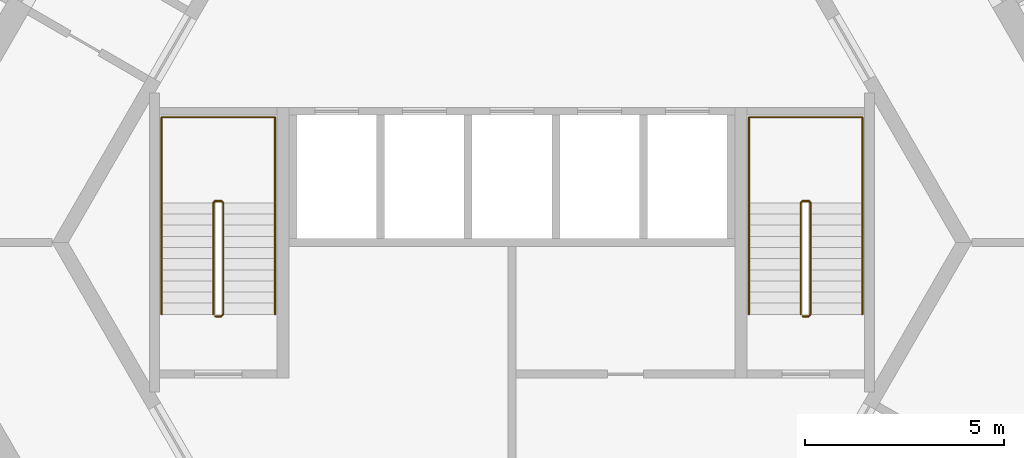
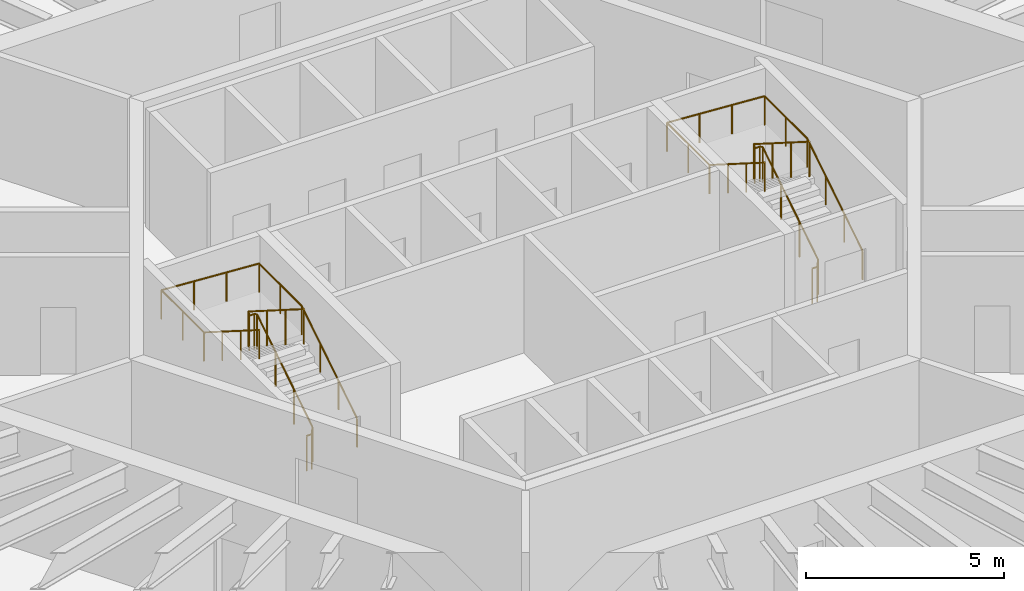
# One storey, part 12 of 12: 4 railings.
"""IFC4 building model written with IfcOpenShell, lengths in metres."""

from ifc_helpers import new_model, si_unit, direction, frame, origin, origin_2d, place, context, subcontext, project, spatial, circle, extrude, material, type_object, element, save


model = new_model("IFC4")

# Units and contexts
model_context = context("Model", 3, precision=1e-05, world=origin(), true_north=direction((0.0, 1.0)))
body_context = subcontext(model_context, "Body", "Model", "MODEL_VIEW")
ifc_project = project(units=[si_unit("LENGTHUNIT", "METRE"), si_unit("AREAUNIT", "SQUARE_METRE"), si_unit("VOLUMEUNIT", "CUBIC_METRE"), si_unit("PLANEANGLEUNIT", "RADIAN"), si_unit("MASSUNIT", "GRAM", prefix="KILO")], contexts=[model_context])

# Site, building, storey
site_placement = place(None, origin())
site = spatial("IfcSite", under=ifc_project, at=site_placement, CompositionType="ELEMENT")
building_placement = place(site_placement, origin())
building = spatial("IfcBuilding", under=site, at=building_placement, Name="Tarnside Tower", CompositionType="ELEMENT")
storey_placement = place(building_placement, frame((0.0, 0.0, 76.5)))
storey = spatial("IfcBuildingStorey", under=building, at=storey_placement, Name="L16", CompositionType="ELEMENT", Elevation=76.5)

# Railings
ifc_material = material(Name="Stainless steel", Category="steel")
railing_type_1 = type_object("IfcRailingType", Name="Stair guard 1100", PredefinedType="GUARDRAIL", material=ifc_material)
railing_1_placement = place(storey_placement, frame((7.300048828125, -1.85009765625, 0.0)))
element("IfcRailing", 1, at=railing_1_placement, inside=storey, type_object=railing_type_1, Name="L16 ST1 stair guard 1", PredefinedType="GUARDRAIL", context=body_context, shape_type="SweptSolid", body=[
    extrude(circle(Radius=0.02392578125, at=origin_2d()), frame((0.0, 0.0, 1.076171875), z_axis=(1.0, 0.0, 0.0), x_axis=(0.0, 1.0, 0.0)), (0.0, 0.0, 1.0), 0.14990234375),
    extrude(circle(Radius=0.02392578125, at=origin_2d()), frame((0.14990234375, 0.0, 1.076171875), z_axis=(0.262233686654, 0.262233686654, 0.928691007369), x_axis=(-0.707106781187, 0.707106781187, 0.0)), (0.0, 0.0, 1.0), 0.19091796875),
    extrude(circle(Radius=0.02392578125, at=origin_2d()), frame((0.199951171875, 0.050048828125, 1.25341796875), z_axis=(0.0, 0.844908973607, 0.534910110503), x_axis=(-1.0, 0.0, 0.0)), (0.0, 0.0, 1.0), 3.31396484375),
    extrude(circle(Radius=0.02392578125, at=origin_2d()), frame((0.199951171875, 2.85009765625, 3.02587890625), z_axis=(-0.707106781187, 0.707106781187, 0.0), x_axis=(-0.707106781187, -0.707106781187, 0.0)), (0.0, 0.0, 1.0), 0.07080078125),
    extrude(circle(Radius=0.02392578125, at=origin_2d()), frame((0.14990234375, 2.900146484375, 3.02587890625), z_axis=(-1.0, 0.0, 0.0), x_axis=(0.0, -1.0, 0.0)), (0.0, 0.0, 1.0), 0.14990234375),
    extrude(circle(Radius=0.02392578125, at=origin_2d()), frame((0.0, 2.900146484375, 3.02587890625), z_axis=(-0.262233686654, -0.262233686654, 0.928691007369), x_axis=(0.707106781187, -0.707106781187, 0.0)), (0.0, 0.0, 1.0), 0.19091796875),
    extrude(circle(Radius=0.02392578125, at=origin_2d()), frame((-0.050048828125, 2.85009765625, 3.203125), z_axis=(0.0, -0.844908973607, 0.534910110503), x_axis=(1.0, 0.0, 0.0)), (0.0, 0.0, 1.0), 3.31396484375),
    extrude(circle(Radius=0.02099609375, at=origin_2d()), origin(), (0.0, 0.0, 1.0), 1.052001953125),
    extrude(circle(Radius=0.02099609375, at=origin_2d()), frame((0.14990234375, 0.0, 0.0)), (0.0, 0.0, 1.0), 1.052001953125),
    extrude(circle(Radius=0.02099609375, at=origin_2d()), frame((0.199951171875, 0.050048828125, 0.17724609375)), (0.0, 0.0, 1.0), 1.052001953125),
    extrude(circle(Radius=0.02099609375, at=origin_2d()), frame((0.199951171875, 0.9833984375, 0.76806640625)), (0.0, 0.0, 1.0), 1.052001953125),
    extrude(circle(Radius=0.02099609375, at=origin_2d()), frame((0.199951171875, 1.916748046875, 1.359130859375)), (0.0, 0.0, 1.0), 1.052001953125),
    extrude(circle(Radius=0.02099609375, at=origin_2d()), frame((0.199951171875, 2.85009765625, 1.949951171875)), (0.0, 0.0, 1.0), 1.052001953125),
    extrude(circle(Radius=0.02099609375, at=origin_2d()), frame((0.14990234375, 2.900146484375, 1.949951171875)), (0.0, 0.0, 1.0), 1.052001953125),
    extrude(circle(Radius=0.02099609375, at=origin_2d()), frame((0.0, 2.900146484375, 1.949951171875)), (0.0, 0.0, 1.0), 1.052001953125),
    extrude(circle(Radius=0.02099609375, at=origin_2d()), frame((-0.050048828125, 2.85009765625, 2.127197265625)), (0.0, 0.0, 1.0), 1.052001953125),
    extrude(circle(Radius=0.02099609375, at=origin_2d()), frame((-0.050048828125, 1.916748046875, 2.718017578125)), (0.0, 0.0, 1.0), 1.052001953125),
    extrude(circle(Radius=0.02099609375, at=origin_2d()), frame((-0.050048828125, 0.9833984375, 3.30908203125)), (0.0, 0.0, 1.0), 1.052001953125),
    extrude(circle(Radius=0.02099609375, at=origin_2d()), frame((-0.050048828125, 0.050048828125, 3.89990234375)), (0.0, 0.0, 1.0), 1.052001953125),
])
railing_2_placement = place(storey_placement, frame((-7.449951171875, -1.85009765625, 0.0)))
element("IfcRailing", 2, at=railing_2_placement, inside=storey, type_object=railing_type_1, Name="L16 ST2 stair guard 1", PredefinedType="GUARDRAIL", context=body_context, shape_type="SweptSolid", body=[
    extrude(circle(Radius=0.02392578125, at=origin_2d()), frame((0.0, 0.0, 1.076171875), z_axis=(1.0, 0.0, 0.0), x_axis=(0.0, 1.0, 0.0)), (0.0, 0.0, 1.0), 0.14990234375),
    extrude(circle(Radius=0.02392578125, at=origin_2d()), frame((0.14990234375, 0.0, 1.076171875), z_axis=(0.262233686654, 0.262233686654, 0.928691007369), x_axis=(-0.707106781187, 0.707106781187, 0.0)), (0.0, 0.0, 1.0), 0.19091796875),
    extrude(circle(Radius=0.02392578125, at=origin_2d()), frame((0.199951171875, 0.050048828125, 1.25341796875), z_axis=(0.0, 0.844908973607, 0.534910110503), x_axis=(-1.0, 0.0, 0.0)), (0.0, 0.0, 1.0), 3.31396484375),
    extrude(circle(Radius=0.02392578125, at=origin_2d()), frame((0.199951171875, 2.85009765625, 3.02587890625), z_axis=(-0.707106781187, 0.707106781187, 0.0), x_axis=(-0.707106781187, -0.707106781187, 0.0)), (0.0, 0.0, 1.0), 0.07080078125),
    extrude(circle(Radius=0.02392578125, at=origin_2d()), frame((0.14990234375, 2.900146484375, 3.02587890625), z_axis=(-1.0, 0.0, 0.0), x_axis=(0.0, -1.0, 0.0)), (0.0, 0.0, 1.0), 0.14990234375),
    extrude(circle(Radius=0.02392578125, at=origin_2d()), frame((0.0, 2.900146484375, 3.02587890625), z_axis=(-0.262233686654, -0.262233686654, 0.928691007369), x_axis=(0.707106781187, -0.707106781187, 0.0)), (0.0, 0.0, 1.0), 0.19091796875),
    extrude(circle(Radius=0.02392578125, at=origin_2d()), frame((-0.050048828125, 2.85009765625, 3.203125), z_axis=(0.0, -0.844908973607, 0.534910110503), x_axis=(1.0, 0.0, 0.0)), (0.0, 0.0, 1.0), 3.31396484375),
    extrude(circle(Radius=0.02099609375, at=origin_2d()), origin(), (0.0, 0.0, 1.0), 1.052001953125),
    extrude(circle(Radius=0.02099609375, at=origin_2d()), frame((0.14990234375, 0.0, 0.0)), (0.0, 0.0, 1.0), 1.052001953125),
    extrude(circle(Radius=0.02099609375, at=origin_2d()), frame((0.199951171875, 0.050048828125, 0.17724609375)), (0.0, 0.0, 1.0), 1.052001953125),
    extrude(circle(Radius=0.02099609375, at=origin_2d()), frame((0.199951171875, 0.9833984375, 0.76806640625)), (0.0, 0.0, 1.0), 1.052001953125),
    extrude(circle(Radius=0.02099609375, at=origin_2d()), frame((0.199951171875, 1.916748046875, 1.359130859375)), (0.0, 0.0, 1.0), 1.052001953125),
    extrude(circle(Radius=0.02099609375, at=origin_2d()), frame((0.199951171875, 2.85009765625, 1.949951171875)), (0.0, 0.0, 1.0), 1.052001953125),
    extrude(circle(Radius=0.02099609375, at=origin_2d()), frame((0.14990234375, 2.900146484375, 1.949951171875)), (0.0, 0.0, 1.0), 1.052001953125),
    extrude(circle(Radius=0.02099609375, at=origin_2d()), frame((0.0, 2.900146484375, 1.949951171875)), (0.0, 0.0, 1.0), 1.052001953125),
    extrude(circle(Radius=0.02099609375, at=origin_2d()), frame((-0.050048828125, 2.85009765625, 2.127197265625)), (0.0, 0.0, 1.0), 1.052001953125),
    extrude(circle(Radius=0.02099609375, at=origin_2d()), frame((-0.050048828125, 1.916748046875, 2.718017578125)), (0.0, 0.0, 1.0), 1.052001953125),
    extrude(circle(Radius=0.02099609375, at=origin_2d()), frame((-0.050048828125, 0.9833984375, 3.30908203125)), (0.0, 0.0, 1.0), 1.052001953125),
    extrude(circle(Radius=0.02099609375, at=origin_2d()), frame((-0.050048828125, 0.050048828125, 3.89990234375)), (0.0, 0.0, 1.0), 1.052001953125),
])
railing_type_2 = type_object("IfcRailingType", Name="Stair handrail 900", PredefinedType="HANDRAIL", material=ifc_material)
railing_3_placement = place(storey_placement, frame((8.800048828125, -1.800048828125, 0.17724609375)))
element("IfcRailing", 3, at=railing_3_placement, inside=storey, type_object=railing_type_2, Name="L16 ST1 stair handrail 1", PredefinedType="HANDRAIL", context=body_context, shape_type="SweptSolid", body=[
    extrude(circle(Radius=0.02392578125, at=origin_2d()), frame((0.0, 0.0, 0.8857421875), z_axis=(0.0, 0.844908973607, 0.534910110503), x_axis=(-1.0, 0.0, 0.0)), (0.0, 0.0, 1.0), 3.31396484375),
    extrude(circle(Radius=0.02392578125, at=origin_2d()), frame((0.0, 2.800048828125, 2.65869140625), z_axis=(0.0, 1.0, 0.0), x_axis=(-1.0, 0.0, 0.0)), (0.0, 0.0, 1.0), 2.14990234375),
    extrude(circle(Radius=0.02392578125, at=origin_2d()), frame((0.0, 4.949951171875, 2.65869140625), z_axis=(-0.998071825391, 0.0, 0.06206956872), x_axis=(0.0, -1.0, 0.0)), (0.0, 0.0, 1.0), 2.855712890625),
    extrude(circle(Radius=0.02392578125, at=origin_2d()), frame((-2.85009765625, 4.949951171875, 2.8359375), z_axis=(0.0, -1.0, 0.0), x_axis=(1.0, 0.0, 0.0)), (0.0, 0.0, 1.0), 2.14990234375),
    extrude(circle(Radius=0.02392578125, at=origin_2d()), frame((-2.85009765625, 2.800048828125, 2.8359375), z_axis=(0.0, -0.844908973607, 0.534910110503), x_axis=(1.0, 0.0, 0.0)), (0.0, 0.0, 1.0), 3.31396484375),
    extrude(circle(Radius=0.02099609375, at=origin_2d()), origin(), (0.0, 0.0, 1.0), 0.86181640625),
    extrude(circle(Radius=0.02099609375, at=origin_2d()), frame((0.0, 0.933349609375, 0.5908203125)), (0.0, 0.0, 1.0), 0.86181640625),
    extrude(circle(Radius=0.02099609375, at=origin_2d()), frame((0.0, 1.86669921875, 1.181884765625)), (0.0, 0.0, 1.0), 0.86181640625),
    extrude(circle(Radius=0.02099609375, at=origin_2d()), frame((0.0, 2.800048828125, 1.772705078125)), (0.0, 0.0, 1.0), 0.86181640625),
    extrude(circle(Radius=0.02099609375, at=origin_2d()), frame((0.0, 3.875, 1.772705078125)), (0.0, 0.0, 1.0), 0.86181640625),
    extrude(circle(Radius=0.02099609375, at=origin_2d()), frame((0.0, 4.949951171875, 1.772705078125)), (0.0, 0.0, 1.0), 0.86181640625),
    extrude(circle(Radius=0.02099609375, at=origin_2d()), frame((-0.949951171875, 4.949951171875, 1.831787109375)), (0.0, 0.0, 1.0), 0.86181640625),
    extrude(circle(Radius=0.02099609375, at=origin_2d()), frame((-1.900146484375, 4.949951171875, 1.890869140625)), (0.0, 0.0, 1.0), 0.86181640625),
    extrude(circle(Radius=0.02099609375, at=origin_2d()), frame((-2.85009765625, 4.949951171875, 1.949951171875)), (0.0, 0.0, 1.0), 0.86181640625),
    extrude(circle(Radius=0.02099609375, at=origin_2d()), frame((-2.85009765625, 3.875, 1.949951171875)), (0.0, 0.0, 1.0), 0.86181640625),
    extrude(circle(Radius=0.02099609375, at=origin_2d()), frame((-2.85009765625, 2.800048828125, 1.949951171875)), (0.0, 0.0, 1.0), 0.86181640625),
    extrude(circle(Radius=0.02099609375, at=origin_2d()), frame((-2.85009765625, 1.86669921875, 2.540771484375)), (0.0, 0.0, 1.0), 0.86181640625),
    extrude(circle(Radius=0.02099609375, at=origin_2d()), frame((-2.85009765625, 0.933349609375, 3.1318359375)), (0.0, 0.0, 1.0), 0.86181640625),
    extrude(circle(Radius=0.02099609375, at=origin_2d()), frame((-2.85009765625, 0.0, 3.72265625)), (0.0, 0.0, 1.0), 0.86181640625),
])
railing_4_placement = place(storey_placement, frame((-5.949951171875, -1.800048828125, 0.17724609375)))
element("IfcRailing", 4, at=railing_4_placement, inside=storey, type_object=railing_type_2, Name="L16 ST2 stair handrail 1", PredefinedType="HANDRAIL", context=body_context, shape_type="SweptSolid", body=[
    extrude(circle(Radius=0.02392578125, at=origin_2d()), frame((0.0, 0.0, 0.8857421875), z_axis=(0.0, 0.844908973607, 0.534910110503), x_axis=(-1.0, 0.0, 0.0)), (0.0, 0.0, 1.0), 3.31396484375),
    extrude(circle(Radius=0.02392578125, at=origin_2d()), frame((0.0, 2.800048828125, 2.65869140625), z_axis=(0.0, 1.0, 0.0), x_axis=(-1.0, 0.0, 0.0)), (0.0, 0.0, 1.0), 2.14990234375),
    extrude(circle(Radius=0.02392578125, at=origin_2d()), frame((0.0, 4.949951171875, 2.65869140625), z_axis=(-0.998071825391, 0.0, 0.06206956872), x_axis=(0.0, -1.0, 0.0)), (0.0, 0.0, 1.0), 2.855712890625),
    extrude(circle(Radius=0.02392578125, at=origin_2d()), frame((-2.85009765625, 4.949951171875, 2.8359375), z_axis=(0.0, -1.0, 0.0), x_axis=(1.0, 0.0, 0.0)), (0.0, 0.0, 1.0), 2.14990234375),
    extrude(circle(Radius=0.02392578125, at=origin_2d()), frame((-2.85009765625, 2.800048828125, 2.8359375), z_axis=(0.0, -0.844908973607, 0.534910110503), x_axis=(1.0, 0.0, 0.0)), (0.0, 0.0, 1.0), 3.31396484375),
    extrude(circle(Radius=0.02099609375, at=origin_2d()), origin(), (0.0, 0.0, 1.0), 0.86181640625),
    extrude(circle(Radius=0.02099609375, at=origin_2d()), frame((0.0, 0.933349609375, 0.5908203125)), (0.0, 0.0, 1.0), 0.86181640625),
    extrude(circle(Radius=0.02099609375, at=origin_2d()), frame((0.0, 1.86669921875, 1.181884765625)), (0.0, 0.0, 1.0), 0.86181640625),
    extrude(circle(Radius=0.02099609375, at=origin_2d()), frame((0.0, 2.800048828125, 1.772705078125)), (0.0, 0.0, 1.0), 0.86181640625),
    extrude(circle(Radius=0.02099609375, at=origin_2d()), frame((0.0, 3.875, 1.772705078125)), (0.0, 0.0, 1.0), 0.86181640625),
    extrude(circle(Radius=0.02099609375, at=origin_2d()), frame((0.0, 4.949951171875, 1.772705078125)), (0.0, 0.0, 1.0), 0.86181640625),
    extrude(circle(Radius=0.02099609375, at=origin_2d()), frame((-0.949951171875, 4.949951171875, 1.831787109375)), (0.0, 0.0, 1.0), 0.86181640625),
    extrude(circle(Radius=0.02099609375, at=origin_2d()), frame((-1.900146484375, 4.949951171875, 1.890869140625)), (0.0, 0.0, 1.0), 0.86181640625),
    extrude(circle(Radius=0.02099609375, at=origin_2d()), frame((-2.85009765625, 4.949951171875, 1.949951171875)), (0.0, 0.0, 1.0), 0.86181640625),
    extrude(circle(Radius=0.02099609375, at=origin_2d()), frame((-2.85009765625, 3.875, 1.949951171875)), (0.0, 0.0, 1.0), 0.86181640625),
    extrude(circle(Radius=0.02099609375, at=origin_2d()), frame((-2.85009765625, 2.800048828125, 1.949951171875)), (0.0, 0.0, 1.0), 0.86181640625),
    extrude(circle(Radius=0.02099609375, at=origin_2d()), frame((-2.85009765625, 1.86669921875, 2.540771484375)), (0.0, 0.0, 1.0), 0.86181640625),
    extrude(circle(Radius=0.02099609375, at=origin_2d()), frame((-2.85009765625, 0.933349609375, 3.1318359375)), (0.0, 0.0, 1.0), 0.86181640625),
    extrude(circle(Radius=0.02099609375, at=origin_2d()), frame((-2.85009765625, 0.0, 3.72265625)), (0.0, 0.0, 1.0), 0.86181640625),
])

save(model, "model.ifc")
